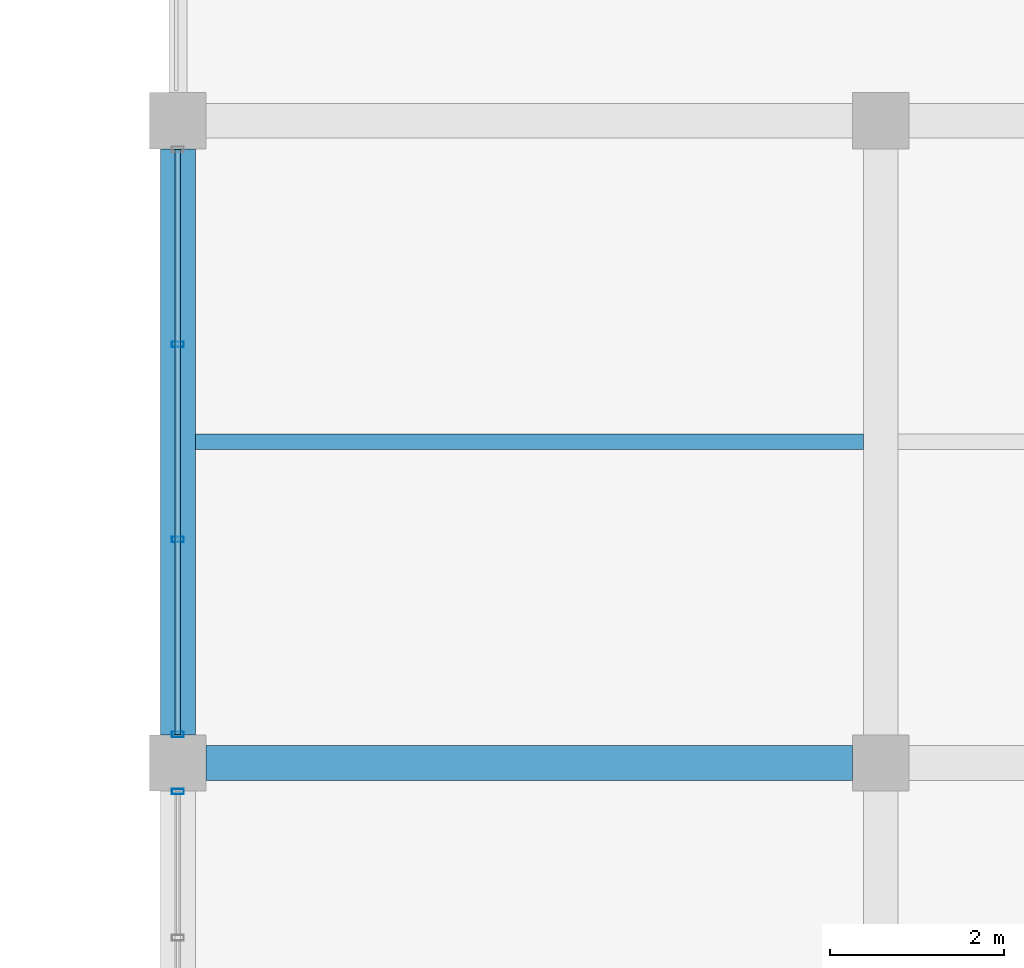
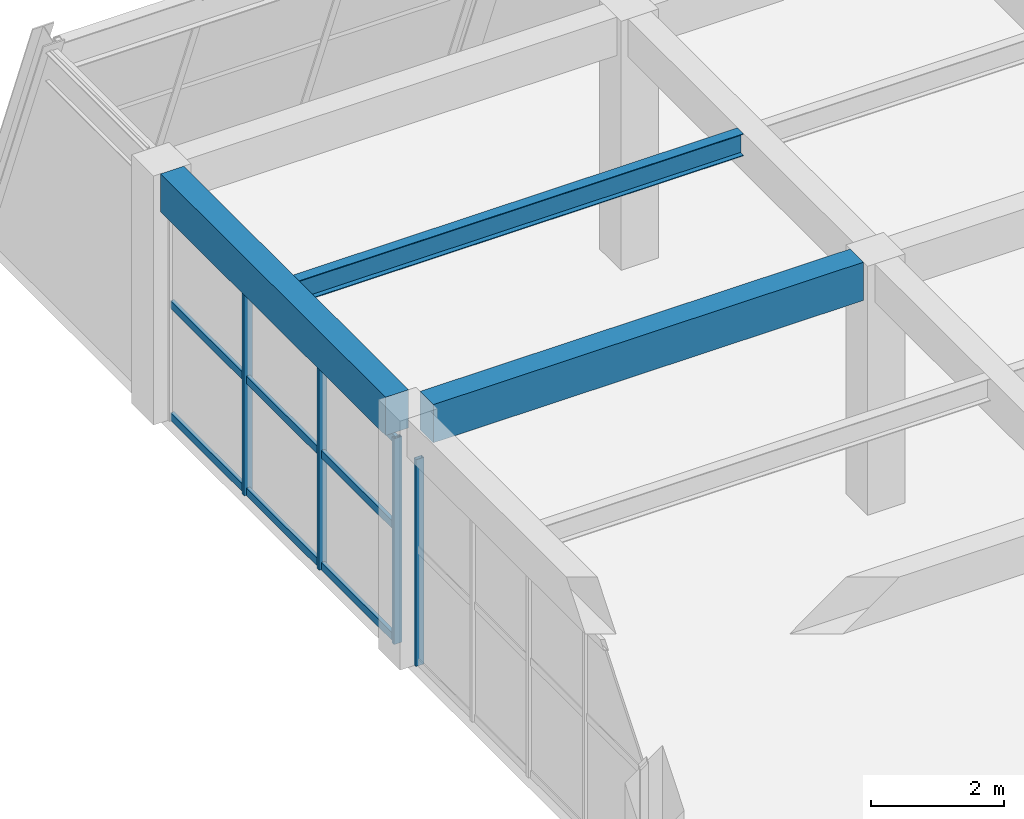
# One storey, part 98 of 161: 7 members, 3 beams, 2 elements without a shape of their own.
"""IFC4 building model written with IfcOpenShell, lengths in metres."""

from ifc_helpers import new_model, si_unit, direction, frame, origin, origin_2d, place, context, subcontext, project, spatial, rectangle, hollow_rectangle, i_section, extrude, material, material_profile, profile_set, type_object, element, aggregate, save


model = new_model("IFC4")

# Units and contexts
model_context = context("Model", 3, precision=1e-05, world=origin(), true_north=direction((0.0, 1.0)))
body_context = subcontext(model_context, "Body", "Model", "MODEL_VIEW")
ifc_project = project(units=[si_unit("LENGTHUNIT", "METRE"), si_unit("AREAUNIT", "SQUARE_METRE"), si_unit("VOLUMEUNIT", "CUBIC_METRE"), si_unit("PLANEANGLEUNIT", "RADIAN"), si_unit("MASSUNIT", "GRAM", prefix="KILO")], contexts=[model_context])

# Site, building, storey
site_placement = place(None, origin())
site = spatial("IfcSite", under=ifc_project, at=site_placement, CompositionType="ELEMENT")
building_placement = place(site_placement, origin())
building = spatial("IfcBuilding", under=site, at=building_placement, Name="Cimatlan Art Gallery", CompositionType="ELEMENT")
storey_placement = place(building_placement, frame((0.0, 0.0, 5.39990234375)))
storey = spatial("IfcBuildingStorey", under=building, at=storey_placement, Name="L01", CompositionType="ELEMENT", Elevation=5.39990234375)

# Beams
ifc_material_1 = material(Name="Concrete C40/50", Category="concrete")
ifc_material_profile_1 = material_profile(ifc_material_1, rectangle(XDim=0.39990234375, YDim=0.699951171875, at=origin_2d()), Name="RC400X700")
ifc_profile_set_1 = profile_set([ifc_material_profile_1], Name="Concrete C40/50")
beam_type_1 = type_object("IfcBeamType", Name="BM-RC-400X700", PredefinedType="BEAM", material=ifc_profile_set_1)
beam_1_placement = place(storey_placement, frame((115.39990234375, 83.425048828125, 4.210205078125), z_axis=(0.0, 1.0, 0.0), x_axis=(-1.0, 0.0, 0.0)))
element("IfcBeam", 1, at=beam_1_placement, inside=storey, type_object=beam_type_1, Name="BM-Y-L01-14-11", PredefinedType="BEAM", context=body_context, shape_type="SweptSolid", body=[
    extrude(rectangle(XDim=0.39990234375, YDim=0.699951171875, at=origin_2d()), origin(), (0.0, 0.0, 1.0), 6.75),
])
beam_2_placement = place(storey_placement, frame((115.72509765625, 83.10009765625, 4.210205078125), z_axis=(1.0, 0.0, 0.0), x_axis=(0.0, 1.0, 0.0)))
element("IfcBeam", 2, at=beam_2_placement, inside=storey, type_object=beam_type_1, Name="BM-X-L01-14-11", PredefinedType="BEAM", context=body_context, shape_type="SweptSolid", body=[
    extrude(rectangle(XDim=0.39990234375, YDim=0.699951171875, at=origin_2d()), origin(), (0.0, 0.0, 1.0), 7.449951171875),
])
ifc_material_2 = material(Name="Steel ASTM A992 Grade 50", Category="steel")
ifc_material_profile_2 = material_profile(ifc_material_2, i_section(OverallWidth=0.177978515625, OverallDepth=0.406982421875, WebThickness=0.0078125, FlangeThickness=0.0126953125, at=origin_2d()), Name="W16X40")
ifc_profile_set_2 = profile_set([ifc_material_profile_2], Name="Steel ASTM A992 Grade 50")
beam_type_2 = type_object("IfcBeamType", Name="BM-STL-W16X40", PredefinedType="JOIST", material=ifc_profile_set_2)
beam_3_placement = place(storey_placement, frame((115.60009765625, 86.800048828125, 4.356689453125), z_axis=(1.0, 0.0, 0.0), x_axis=(0.0, 1.0, 0.0)))
element("IfcBeam", 3, at=beam_3_placement, inside=storey, type_object=beam_type_2, Name="JST-L01-14-11", PredefinedType="JOIST", context=body_context, shape_type="SweptSolid", body=[
    extrude(i_section(OverallWidth=0.177978515625, OverallDepth=0.406982421875, WebThickness=0.0078125, FlangeThickness=0.0126953125, at=origin_2d()), origin(), (0.0, 0.0, 1.0), 7.699951171875),
])

# Curtain wall, member
ifc_material_3 = material(Name="Anodised bronze unitised curtain wall")
curtain_wall_type_1 = type_object("IfcCurtainWallType", Name="CW-V-06742X03785-B4", PredefinedType="NOTDEFINED", material=ifc_material_3)
curtain_wall_1_placement = place(storey_placement, origin())
curtain_wall_1 = element("IfcCurtainWall", 4, at=curtain_wall_1_placement, inside=storey, type_object=curtain_wall_type_1, Name="CW-L01-14-10-W", PredefinedType="NOTDEFINED")
ifc_material_4 = material(Name="Anodised bronze aluminium 6063-T6", Category="aluminium")
ifc_material_profile_3 = material_profile(ifc_material_4, hollow_rectangle(XDim=0.06494140625, YDim=0.139892578125, WallThickness=0.00390625, at=origin_2d()), Name="ALU65X140X4")
ifc_profile_set_3 = profile_set([ifc_material_profile_3], Name="Anodised bronze aluminium 6063-T6")
member_type_1 = type_object("IfcMemberType", Name="CW-MUL-140", PredefinedType="MULLION", material=ifc_profile_set_3)
member_1_placement = place(storey_placement, frame((115.39990234375, 82.77099609375, 0.0), z_axis=(0.0, 0.0, 1.0), x_axis=(0.0, 1.0, 0.0)))
member_1 = element("IfcMember", 5, at=member_1_placement, type_object=member_type_1, Name="CW-L01-14-10-W-M5", PredefinedType="MULLION", context=body_context, shape_type="SweptSolid", body=[
    extrude(hollow_rectangle(XDim=0.06494140625, YDim=0.139892578125, WallThickness=0.00390625, at=origin_2d()), origin(), (0.0, 0.0, 1.0), 3.78515625),
])
aggregate(curtain_wall_1, [member_1])

# Curtain wall, members
curtain_wall_type_2 = type_object("IfcCurtainWallType", Name="CW-V-06742X03770-B3", PredefinedType="NOTDEFINED", material=ifc_material_3)
curtain_wall_2_placement = place(storey_placement, origin())
curtain_wall_2 = element("IfcCurtainWall", 6, at=curtain_wall_2_placement, inside=storey, type_object=curtain_wall_type_2, Name="CW-L01-14-11-W", PredefinedType="NOTDEFINED")
member_2_placement = place(storey_placement, frame((115.39990234375, 83.428955078125, 0.0), z_axis=(0.0, 0.0, 1.0), x_axis=(0.0, 1.0, 0.0)))
member_2 = element("IfcMember", 7, at=member_2_placement, type_object=member_type_1, Name="CW-L01-14-11-W-M1", PredefinedType="MULLION", context=body_context, shape_type="SweptSolid", body=[
    extrude(hollow_rectangle(XDim=0.06494140625, YDim=0.139892578125, WallThickness=0.00390625, at=origin_2d()), origin(), (0.0, 0.0, 1.0), 3.77001953125),
])
member_3_placement = place(storey_placement, frame((115.39990234375, 85.67626953125, 0.0), z_axis=(0.0, 0.0, 1.0), x_axis=(0.0, 1.0, 0.0)))
member_3 = element("IfcMember", 8, at=member_3_placement, type_object=member_type_1, Name="CW-L01-14-11-W-M2", PredefinedType="MULLION", context=body_context, shape_type="SweptSolid", body=[
    extrude(hollow_rectangle(XDim=0.06494140625, YDim=0.139892578125, WallThickness=0.00390625, at=origin_2d()), origin(), (0.0, 0.0, 1.0), 3.77001953125),
])
member_4_placement = place(storey_placement, frame((115.39990234375, 87.923583984375, 0.0), z_axis=(0.0, 0.0, 1.0), x_axis=(0.0, 1.0, 0.0)))
member_4 = element("IfcMember", 9, at=member_4_placement, type_object=member_type_1, Name="CW-L01-14-11-W-M3", PredefinedType="MULLION", context=body_context, shape_type="SweptSolid", body=[
    extrude(hollow_rectangle(XDim=0.06494140625, YDim=0.139892578125, WallThickness=0.00390625, at=origin_2d()), origin(), (0.0, 0.0, 1.0), 3.77001953125),
])
ifc_material_profile_4 = material_profile(ifc_material_4, hollow_rectangle(XDim=0.06494140625, YDim=0.139892578125, WallThickness=0.00390625, at=origin_2d()), Name="ALU65X140X4")
ifc_profile_set_4 = profile_set([ifc_material_profile_4], Name="Anodised bronze aluminium 6063-T6")
member_type_2 = type_object("IfcMemberType", Name="CW-TRN-140", PredefinedType="USERDEFINED", material=ifc_profile_set_4)
member_5_placement = place(storey_placement, frame((115.39990234375, 83.428955078125, 0.06005859375), z_axis=(0.0, 1.0, 0.0), x_axis=(-1.0, 0.0, 0.0)))
member_5 = element("IfcMember", 10, at=member_5_placement, type_object=member_type_2, Name="CW-L01-14-11-W-T1", ObjectType="TRANSOM", PredefinedType="USERDEFINED", context=body_context, shape_type="SweptSolid", body=[
    extrude(hollow_rectangle(XDim=0.06494140625, YDim=0.139892578125, WallThickness=0.00390625, at=origin_2d()), origin(), (0.0, 0.0, 1.0), 6.741943359375),
])
member_6_placement = place(storey_placement, frame((115.39990234375, 83.428955078125, 2.111328125), z_axis=(0.0, 1.0, 0.0), x_axis=(-1.0, 0.0, 0.0)))
member_6 = element("IfcMember", 11, at=member_6_placement, type_object=member_type_2, Name="CW-L01-14-11-W-T2", ObjectType="TRANSOM", PredefinedType="USERDEFINED", context=body_context, shape_type="SweptSolid", body=[
    extrude(hollow_rectangle(XDim=0.06494140625, YDim=0.139892578125, WallThickness=0.00390625, at=origin_2d()), origin(), (0.0, 0.0, 1.0), 6.741943359375),
])
member_7_placement = place(storey_placement, frame((115.39990234375, 83.428955078125, 3.710205078125), z_axis=(0.0, 1.0, 0.0), x_axis=(-1.0, 0.0, 0.0)))
member_7 = element("IfcMember", 12, at=member_7_placement, type_object=member_type_2, Name="CW-L01-14-11-W-T3", ObjectType="TRANSOM", PredefinedType="USERDEFINED", context=body_context, shape_type="SweptSolid", body=[
    extrude(hollow_rectangle(XDim=0.06494140625, YDim=0.139892578125, WallThickness=0.00390625, at=origin_2d()), origin(), (0.0, 0.0, 1.0), 6.741943359375),
])
aggregate(curtain_wall_2, [member_2, member_3, member_4, member_5, member_6, member_7])

save(model, "model.ifc")
